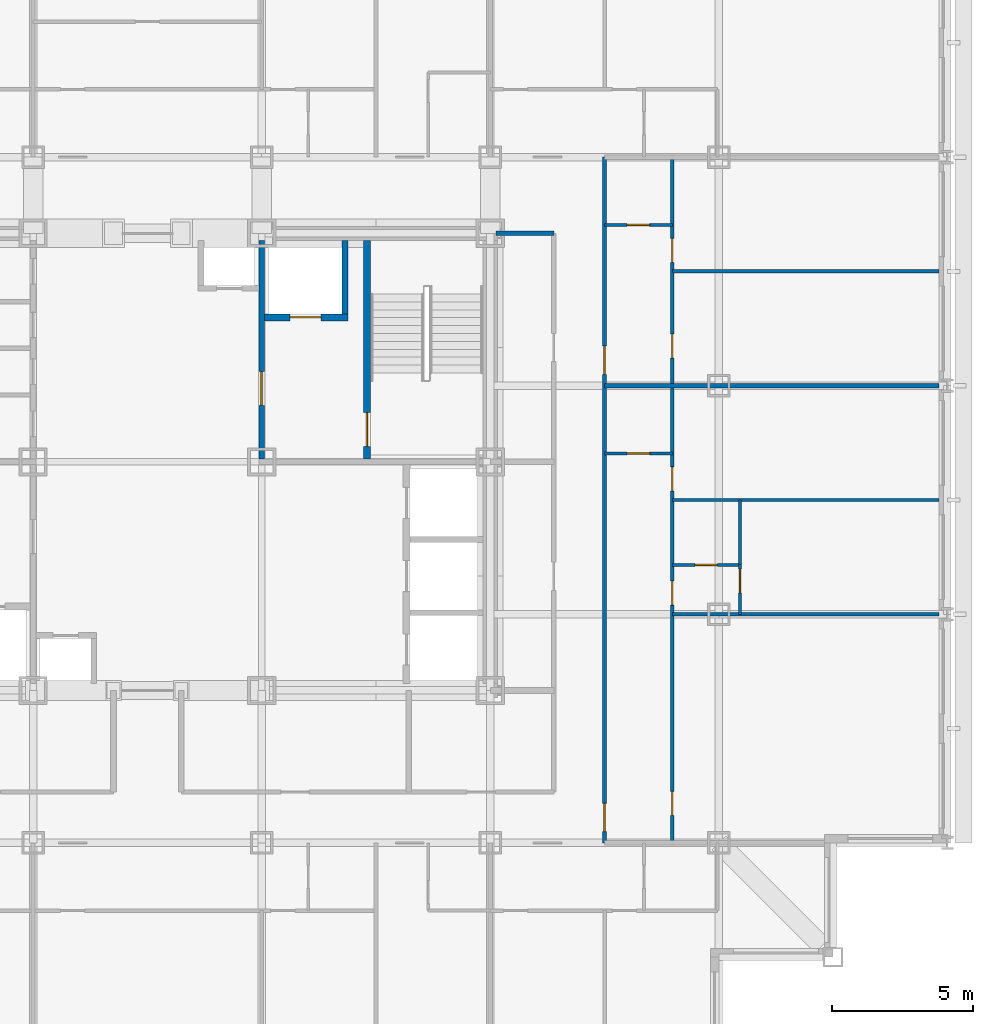
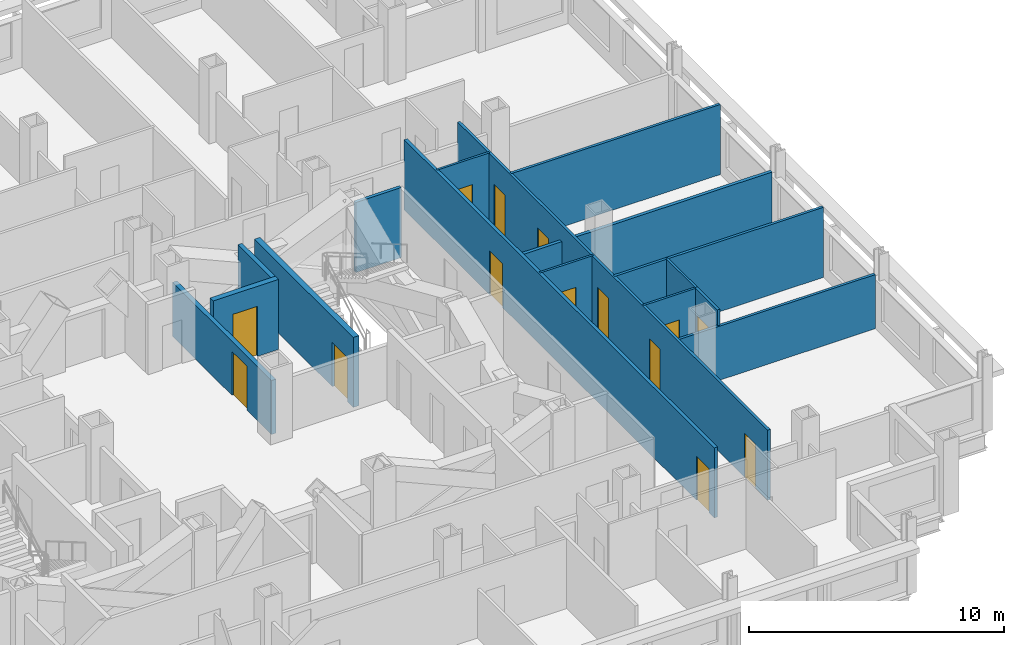
# One storey, part 8 of 12: 16 walls, 14 doors, 14 openings.
"""IFC4 building model written with IfcOpenShell, lengths in metres."""

from ifc_helpers import new_model, si_unit, direction, frame, frame_2d, origin, place, context, subcontext, project, spatial, rectangle, extrude, material, layer, layer_set, type_object, element, fill, save


model = new_model("IFC4")

# Units and contexts
model_context = context("Model", 3, precision=1e-05, world=origin(), true_north=direction((0.0, 1.0)))
body_context = subcontext(model_context, "Body", "Model", "MODEL_VIEW")
ifc_project = project(units=[si_unit("LENGTHUNIT", "METRE"), si_unit("AREAUNIT", "SQUARE_METRE"), si_unit("VOLUMEUNIT", "CUBIC_METRE"), si_unit("PLANEANGLEUNIT", "RADIAN"), si_unit("MASSUNIT", "GRAM", prefix="KILO")], contexts=[model_context])

# Site, building, storey
site_placement = place(None, origin())
site = spatial("IfcSite", under=ifc_project, at=site_placement, CompositionType="ELEMENT")
building_placement = place(site_placement, origin())
building = spatial("IfcBuilding", under=site, at=building_placement, Name="Kopane Lantern Tower", CompositionType="ELEMENT")
storey_placement = place(building_placement, frame((0.0, 0.0, 231.60009765625)))
storey = spatial("IfcBuildingStorey", under=building, at=storey_placement, Name="L60", CompositionType="ELEMENT", Elevation=231.60009765625)

# Wall, openings, doors
ifc_material_1 = material(Name="Gypsum board on steel studs", Category="steel")
ifc_layer_1 = layer(ifc_material_1, 0.1201171875)
ifc_layer_set_1 = layer_set([ifc_layer_1], Name="APARTMENT INTERNAL WALL 120")
wall_type_1 = type_object("IfcWallType", Name="APARTMENT INTERNAL WALL 120", PredefinedType="PARTITIONING", material=ifc_layer_set_1)
wall_1_placement = place(storey_placement, frame((46.949951171875, 18.89990234375, 0.0), z_axis=(0.0, 0.0, 1.0), x_axis=(0.0, 1.0, 0.0)))
wall_1 = element("IfcWall", 1, at=wall_1_placement, inside=storey, type_object=wall_type_1, Name="Apartment Internal Wall 120 L60", PredefinedType="PARTITIONING", context=body_context, shape_type="SweptSolid", body=[
    extrude(rectangle(XDim=24.300048828125, YDim=0.1201171875, at=frame_2d((12.14990234375, 0.0))), origin(), (0.0, 0.0, 1.0), 3.349853515625),
])
opening_1_placement = place(wall_1_placement, frame((0.97509765625, 0.0, 0.0)))
opening_1 = element("IfcOpeningElement", 2, at=opening_1_placement, cuts=wall_1, Name="Opening L60-043", PredefinedType="OPENING", context=body_context, shape_type="SweptSolid", body=[
    extrude(rectangle(XDim=0.85009765625, YDim=2.10009765625, at=frame_2d((0.425048828125, 1.050048828125))), frame((0.0, 0.070068359375, 0.0), z_axis=(0.0, -1.0, 0.0), x_axis=(1.0, 0.0, 0.0)), (0.0, 0.0, 1.0), 0.14013671875),
])
opening_2_placement = place(wall_1_placement, frame((8.425048828125, 0.0, 0.0)))
opening_2 = element("IfcOpeningElement", 3, at=opening_2_placement, cuts=wall_1, Name="Opening L60-045", PredefinedType="OPENING", context=body_context, shape_type="SweptSolid", body=[
    extrude(rectangle(XDim=0.85009765625, YDim=2.10009765625, at=frame_2d((0.425048828125, 1.050048828125))), frame((0.0, 0.070068359375, 0.0), z_axis=(0.0, -1.0, 0.0), x_axis=(1.0, 0.0, 0.0)), (0.0, 0.0, 1.0), 0.14013671875),
])
opening_3_placement = place(wall_1_placement, frame((12.47509765625, 0.0, 0.0)))
opening_3 = element("IfcOpeningElement", 4, at=opening_3_placement, cuts=wall_1, Name="Opening L60-046", PredefinedType="OPENING", context=body_context, shape_type="SweptSolid", body=[
    extrude(rectangle(XDim=0.85009765625, YDim=2.10009765625, at=frame_2d((0.425048828125, 1.050048828125))), frame((0.0, 0.070068359375, 0.0), z_axis=(0.0, -1.0, 0.0), x_axis=(1.0, 0.0, 0.0)), (0.0, 0.0, 1.0), 0.14013671875),
])
opening_4_placement = place(wall_1_placement, frame((17.175048828125, 0.0, 0.0)))
opening_4 = element("IfcOpeningElement", 5, at=opening_4_placement, cuts=wall_1, Name="Opening L60-049", PredefinedType="OPENING", context=body_context, shape_type="SweptSolid", body=[
    extrude(rectangle(XDim=0.85009765625, YDim=2.10009765625, at=frame_2d((0.425048828125, 1.050048828125))), frame((0.0, 0.070068359375, 0.0), z_axis=(0.0, -1.0, 0.0), x_axis=(1.0, 0.0, 0.0)), (0.0, 0.0, 1.0), 0.14013671875),
])
opening_5_placement = place(wall_1_placement, frame((20.574951171875, 0.0, 0.0)))
opening_5 = element("IfcOpeningElement", 6, at=opening_5_placement, cuts=wall_1, Name="Opening L60-050", PredefinedType="OPENING", context=body_context, shape_type="SweptSolid", body=[
    extrude(rectangle(XDim=0.85009765625, YDim=2.10009765625, at=frame_2d((0.425048828125, 1.050048828125))), frame((0.0, 0.070068359375, 0.0), z_axis=(0.0, -1.0, 0.0), x_axis=(1.0, 0.0, 0.0)), (0.0, 0.0, 1.0), 0.14013671875),
])
ifc_material_2 = material(Name="Timber door set", Category="wood")
door_type_1 = type_object("IfcDoorType", Name="DOOR D4 850x2100", OperationType="SINGLE_SWING_LEFT", PredefinedType="DOOR", material=ifc_material_2)
door_1_placement = place(opening_1_placement, origin())
door_1 = element("IfcDoor", 7, at=door_1_placement, inside=storey, type_object=door_type_1, Name="Door L60-043", OperationType="SINGLE_SWING_LEFT", OverallHeight=2.10009765625, OverallWidth=0.85009765625, PredefinedType="DOOR", context=body_context, shape_type="SweptSolid", body=[
    extrude(rectangle(XDim=0.85009765625, YDim=2.10009765625, at=frame_2d((0.425048828125, 1.050048828125))), frame((0.0, 0.02490234375, 0.0), z_axis=(0.0, -1.0, 0.0), x_axis=(1.0, 0.0, 0.0)), (0.0, 0.0, 1.0), 0.050048828125),
])
fill(opening_1, door_1)
door_2_placement = place(opening_2_placement, origin())
door_2 = element("IfcDoor", 8, at=door_2_placement, inside=storey, type_object=door_type_1, Name="Door L60-045", OperationType="SINGLE_SWING_RIGHT", OverallHeight=2.10009765625, OverallWidth=0.85009765625, PredefinedType="DOOR", context=body_context, shape_type="SweptSolid", body=[
    extrude(rectangle(XDim=0.85009765625, YDim=2.10009765625, at=frame_2d((0.425048828125, 1.050048828125))), frame((0.0, 0.02490234375, 0.0), z_axis=(0.0, -1.0, 0.0), x_axis=(1.0, 0.0, 0.0)), (0.0, 0.0, 1.0), 0.050048828125),
])
fill(opening_2, door_2)
door_3_placement = place(opening_3_placement, origin())
door_3 = element("IfcDoor", 9, at=door_3_placement, inside=storey, type_object=door_type_1, Name="Door L60-046", OperationType="SINGLE_SWING_RIGHT", OverallHeight=2.10009765625, OverallWidth=0.85009765625, PredefinedType="DOOR", context=body_context, shape_type="SweptSolid", body=[
    extrude(rectangle(XDim=0.85009765625, YDim=2.10009765625, at=frame_2d((0.425048828125, 1.050048828125))), frame((0.0, 0.02490234375, 0.0), z_axis=(0.0, -1.0, 0.0), x_axis=(1.0, 0.0, 0.0)), (0.0, 0.0, 1.0), 0.050048828125),
])
fill(opening_3, door_3)
door_4_placement = place(opening_4_placement, origin())
door_4 = element("IfcDoor", 10, at=door_4_placement, inside=storey, type_object=door_type_1, Name="Door L60-049", OperationType="SINGLE_SWING_LEFT", OverallHeight=2.10009765625, OverallWidth=0.85009765625, PredefinedType="DOOR", context=body_context, shape_type="SweptSolid", body=[
    extrude(rectangle(XDim=0.85009765625, YDim=2.10009765625, at=frame_2d((0.425048828125, 1.050048828125))), frame((0.0, 0.02490234375, 0.0), z_axis=(0.0, -1.0, 0.0), x_axis=(1.0, 0.0, 0.0)), (0.0, 0.0, 1.0), 0.050048828125),
])
fill(opening_4, door_4)
door_5_placement = place(opening_5_placement, origin())
door_5 = element("IfcDoor", 11, at=door_5_placement, inside=storey, type_object=door_type_1, Name="Door L60-050", OperationType="SINGLE_SWING_RIGHT", OverallHeight=2.10009765625, OverallWidth=0.85009765625, PredefinedType="DOOR", context=body_context, shape_type="SweptSolid", body=[
    extrude(rectangle(XDim=0.85009765625, YDim=2.10009765625, at=frame_2d((0.425048828125, 1.050048828125))), frame((0.0, 0.02490234375, 0.0), z_axis=(0.0, -1.0, 0.0), x_axis=(1.0, 0.0, 0.0)), (0.0, 0.0, 1.0), 0.050048828125),
])
fill(opening_5, door_5)

# Walls
wall_2_placement = place(storey_placement, frame((46.949951171875, 27.0, 0.0), z_axis=(0.0, 0.0, 1.0), x_axis=(1.0, 0.0, 0.0)))
element("IfcWall", 12, at=wall_2_placement, inside=storey, type_object=wall_type_1, Name="Apartment Internal Wall 120 L60", PredefinedType="PARTITIONING", context=body_context, shape_type="SweptSolid", body=[
    extrude(rectangle(XDim=9.449951171875, YDim=0.1201171875, at=frame_2d((4.72509765625, 0.0))), origin(), (0.0, 0.0, 1.0), 2.587646484375),
])
for number, where, z_axis, x_axis, name in (
    (13, (46.949951171875, 31.050048828125, 0.0), (0.0, 0.0, 1.0), (1.0, 0.0, 0.0), "Apartment Internal Wall 120 L60"),
    (14, (46.949951171875, 39.14990234375, 0.0), (0.0, 0.0, 1.0), (1.0, 0.0, 0.0), "Apartment Internal Wall 120 L60"),
):
    element("IfcWall", number, at=place(storey_placement, frame(where, z_axis=z_axis, x_axis=x_axis)), inside=storey, type_object=wall_type_1, Name=name, PredefinedType="PARTITIONING", context=body_context, shape_type="SweptSolid", body=[
        extrude(rectangle(XDim=9.449951171875, YDim=0.1201171875, at=frame_2d((4.72509765625, 0.0))), origin(), (0.0, 0.0, 1.0), 3.349853515625),
    ])

# Wall, opening, door
wall_3_placement = place(storey_placement, frame((49.35009765625, 28.760009765625, 0.0), z_axis=(0.0, 0.0, 1.0), x_axis=(0.0, -1.0, 0.0)))
wall_3 = element("IfcWall", 15, at=wall_3_placement, inside=storey, type_object=wall_type_1, Name="Apartment Internal Wall 120 L60", PredefinedType="PARTITIONING", context=body_context, shape_type="SweptSolid", body=[
    extrude(rectangle(XDim=1.760009765625, YDim=0.1201171875, at=frame_2d((0.8798828125, 0.0))), origin(), (0.0, 0.0, 1.0), 3.349853515625),
])
opening_6_placement = place(wall_3_placement, frame((0.159912109375, 0.0, 0.0)))
opening_6 = element("IfcOpeningElement", 16, at=opening_6_placement, cuts=wall_3, Name="Opening L60-069", PredefinedType="OPENING", context=body_context, shape_type="SweptSolid", body=[
    extrude(rectangle(XDim=0.85009765625, YDim=2.10009765625, at=frame_2d((0.425048828125, 1.050048828125))), frame((0.0, 0.070068359375, 0.0), z_axis=(0.0, -1.0, 0.0), x_axis=(1.0, 0.0, 0.0)), (0.0, 0.0, 1.0), 0.14013671875),
])
door_6_placement = place(opening_6_placement, origin())
door_6 = element("IfcDoor", 17, at=door_6_placement, inside=storey, type_object=door_type_1, Name="Door L60-069", OperationType="SINGLE_SWING_RIGHT", OverallHeight=2.10009765625, OverallWidth=0.85009765625, PredefinedType="DOOR", context=body_context, shape_type="SweptSolid", body=[
    extrude(rectangle(XDim=0.85009765625, YDim=2.10009765625, at=frame_2d((0.425048828125, 1.050048828125))), frame((0.0, 0.02490234375, 0.0), z_axis=(0.0, -1.0, 0.0), x_axis=(1.0, 0.0, 0.0)), (0.0, 0.0, 1.0), 0.050048828125),
])
fill(opening_6, door_6)

ifc_material_3 = material(Name="Moisture-resistant board on steel studs", Category="steel")
ifc_layer_2 = layer(ifc_material_3, 0.10009765625)
ifc_layer_set_2 = layer_set([ifc_layer_2], Name="BATHROOM WALL 100")
wall_type_2 = type_object("IfcWallType", Name="BATHROOM WALL 100", PredefinedType="PARTITIONING", material=ifc_layer_set_2)
wall_4_placement = place(storey_placement, frame((44.550048828125, 32.699951171875, 0.0), z_axis=(0.0, 0.0, 1.0), x_axis=(1.0, 0.0, 0.0)))
wall_4 = element("IfcWall", 18, at=wall_4_placement, inside=storey, type_object=wall_type_2, Name="Bathroom Wall 100 L60", PredefinedType="PARTITIONING", context=body_context, shape_type="SweptSolid", body=[
    extrude(rectangle(XDim=2.39990234375, YDim=0.10009765625, at=frame_2d((1.199951171875, 0.0))), origin(), (0.0, 0.0, 1.0), 3.349853515625),
])
opening_7_placement = place(wall_4_placement, frame((0.800048828125, 0.0, 0.0)))
opening_7 = element("IfcOpeningElement", 19, at=opening_7_placement, cuts=wall_4, Name="Opening L60-041", PredefinedType="OPENING", context=body_context, shape_type="SweptSolid", body=[
    extrude(rectangle(XDim=0.800048828125, YDim=2.10009765625, at=frame_2d((0.39990234375, 1.050048828125))), frame((0.0, 0.06005859375, 0.0), z_axis=(0.0, -1.0, 0.0), x_axis=(1.0, 0.0, 0.0)), (0.0, 0.0, 1.0), 0.1201171875),
])
ifc_material_4 = material(Name="Timber door set", Category="wood")
door_type_2 = type_object("IfcDoorType", Name="DOOR D2 800x2100", OperationType="SINGLE_SWING_LEFT", PredefinedType="DOOR", material=ifc_material_4)
door_7_placement = place(opening_7_placement, origin())
door_7 = element("IfcDoor", 20, at=door_7_placement, inside=storey, type_object=door_type_2, Name="Door L60-041", OperationType="SINGLE_SWING_LEFT", OverallHeight=2.10009765625, OverallWidth=0.800048828125, PredefinedType="DOOR", context=body_context, shape_type="SweptSolid", body=[
    extrude(rectangle(XDim=0.800048828125, YDim=2.10009765625, at=frame_2d((0.39990234375, 1.050048828125))), frame((0.0, 0.02490234375, 0.0), z_axis=(0.0, -1.0, 0.0), x_axis=(1.0, 0.0, 0.0)), (0.0, 0.0, 1.0), 0.050048828125),
])
fill(opening_7, door_7)

wall_5_placement = place(storey_placement, frame((46.949951171875, 28.75, 0.0), z_axis=(0.0, 0.0, 1.0), x_axis=(1.0, 0.0, 0.0)))
wall_5 = element("IfcWall", 21, at=wall_5_placement, inside=storey, type_object=wall_type_2, Name="Bathroom Wall 100 L60", PredefinedType="PARTITIONING", context=body_context, shape_type="SweptSolid", body=[
    extrude(rectangle(XDim=2.400146484375, YDim=0.10009765625, at=frame_2d((1.2001953125, 0.0))), origin(), (0.0, 0.0, 1.0), 3.349853515625),
])
opening_8_placement = place(wall_5_placement, frame((0.800048828125, 0.0, 0.0)))
opening_8 = element("IfcOpeningElement", 22, at=opening_8_placement, cuts=wall_5, Name="Opening L60-044", PredefinedType="OPENING", context=body_context, shape_type="SweptSolid", body=[
    extrude(rectangle(XDim=0.800048828125, YDim=2.10009765625, at=frame_2d((0.39990234375, 1.050048828125))), frame((0.0, 0.06005859375, 0.0), z_axis=(0.0, -1.0, 0.0), x_axis=(1.0, 0.0, 0.0)), (0.0, 0.0, 1.0), 0.1201171875),
])
door_8_placement = place(opening_8_placement, origin())
door_8 = element("IfcDoor", 23, at=door_8_placement, inside=storey, type_object=door_type_2, Name="Door L60-044", OperationType="SINGLE_SWING_LEFT", OverallHeight=2.10009765625, OverallWidth=0.800048828125, PredefinedType="DOOR", context=body_context, shape_type="SweptSolid", body=[
    extrude(rectangle(XDim=0.800048828125, YDim=2.10009765625, at=frame_2d((0.39990234375, 1.050048828125))), frame((0.0, 0.02490234375, 0.0), z_axis=(0.0, -1.0, 0.0), x_axis=(1.0, 0.0, 0.0)), (0.0, 0.0, 1.0), 0.050048828125),
])
fill(opening_8, door_8)

# Wall
wall_6_placement = place(storey_placement, frame((49.35009765625, 28.75, 0.0), z_axis=(0.0, 0.0, 1.0), x_axis=(0.0, 1.0, 0.0)))
element("IfcWall", 24, at=wall_6_placement, inside=storey, type_object=wall_type_2, Name="Bathroom Wall 100 L60", PredefinedType="PARTITIONING", context=body_context, shape_type="SweptSolid", body=[
    extrude(rectangle(XDim=2.300048828125, YDim=0.10009765625, at=frame_2d((1.14990234375, 0.0))), origin(), (0.0, 0.0, 1.0), 3.349853515625),
])

# Wall, opening, door
wall_7_placement = place(storey_placement, frame((44.550048828125, 40.800048828125, 0.0), z_axis=(0.0, 0.0, 1.0), x_axis=(1.0, 0.0, 0.0)))
wall_7 = element("IfcWall", 25, at=wall_7_placement, inside=storey, type_object=wall_type_2, Name="Bathroom Wall 100 L60", PredefinedType="PARTITIONING", context=body_context, shape_type="SweptSolid", body=[
    extrude(rectangle(XDim=2.39990234375, YDim=0.10009765625, at=frame_2d((1.199951171875, 0.0))), origin(), (0.0, 0.0, 1.0), 3.349853515625),
])
opening_9_placement = place(wall_7_placement, frame((0.800048828125, 0.0, 0.0)))
opening_9 = element("IfcOpeningElement", 26, at=opening_9_placement, cuts=wall_7, Name="Opening L60-047", PredefinedType="OPENING", context=body_context, shape_type="SweptSolid", body=[
    extrude(rectangle(XDim=0.800048828125, YDim=2.10009765625, at=frame_2d((0.39990234375, 1.050048828125))), frame((0.0, 0.06005859375, 0.0), z_axis=(0.0, -1.0, 0.0), x_axis=(1.0, 0.0, 0.0)), (0.0, 0.0, 1.0), 0.1201171875),
])
door_9_placement = place(opening_9_placement, origin())
door_9 = element("IfcDoor", 27, at=door_9_placement, inside=storey, type_object=door_type_2, Name="Door L60-047", OperationType="SINGLE_SWING_LEFT", OverallHeight=2.10009765625, OverallWidth=0.800048828125, PredefinedType="DOOR", context=body_context, shape_type="SweptSolid", body=[
    extrude(rectangle(XDim=0.800048828125, YDim=2.10009765625, at=frame_2d((0.39990234375, 1.050048828125))), frame((0.0, 0.02490234375, 0.0), z_axis=(0.0, -1.0, 0.0), x_axis=(1.0, 0.0, 0.0)), (0.0, 0.0, 1.0), 0.050048828125),
])
fill(opening_9, door_9)

ifc_material_5 = material(Name="Gypsum shaft wall EI 120", Category="gypsum")
ifc_layer_3 = layer(ifc_material_5, 0.25)
ifc_layer_set_3 = layer_set([ifc_layer_3], Name="CORE SHAFT WALL 250 EI 120")
wall_type_3 = type_object("IfcWallType", Name="CORE SHAFT WALL 250 EI 120", PredefinedType="SOLIDWALL", material=ifc_layer_set_3)
wall_8_placement = place(storey_placement, frame((36.125, 32.5, 0.0), z_axis=(0.0, 0.0, 1.0), x_axis=(0.0, 1.0, 0.0)))
wall_8 = element("IfcWall", 28, at=wall_8_placement, inside=storey, type_object=wall_type_3, Name="Core shaft wall L60 XST2", PredefinedType="SOLIDWALL", context=body_context, shape_type="SweptSolid", body=[
    extrude(rectangle(XDim=7.75, YDim=0.25, at=frame_2d((3.875, 0.0))), origin(), (0.0, 0.0, 1.0), 3.349853515625),
])
opening_10_placement = place(wall_8_placement, frame((0.449951171875, 0.0, 0.0)))
opening_10 = element("IfcOpeningElement", 29, at=opening_10_placement, cuts=wall_8, Name="Opening 60.SD2", PredefinedType="OPENING", context=body_context, shape_type="SweptSolid", body=[
    extrude(rectangle(XDim=1.199951171875, YDim=2.10009765625, at=frame_2d((0.60009765625, 1.050048828125))), frame((0.0, 0.135009765625, 0.0), z_axis=(0.0, -1.0, 0.0), x_axis=(1.0, 0.0, 0.0)), (0.0, 0.0, 1.0), 0.27001953125),
])
ifc_material_6 = material(Name="Steel door set", Category="steel")
door_type_3 = type_object("IfcDoorType", Name="STAIR DOOR 1200x2100 FD60S", OperationType="SINGLE_SWING_LEFT", PredefinedType="DOOR", material=ifc_material_6)
door_10_placement = place(opening_10_placement, origin())
door_10 = element("IfcDoor", 30, at=door_10_placement, inside=storey, type_object=door_type_3, Name="Stair door ST2 L60", OperationType="SINGLE_SWING_RIGHT", OverallHeight=2.10009765625, OverallWidth=1.199951171875, PredefinedType="DOOR", context=body_context, shape_type="SweptSolid", body=[
    extrude(rectangle(XDim=1.199951171875, YDim=2.10009765625, at=frame_2d((0.60009765625, 1.050048828125))), frame((0.0, 0.02490234375, 0.0), z_axis=(0.0, -1.0, 0.0), x_axis=(1.0, 0.0, 0.0)), (0.0, 0.0, 1.0), 0.050048828125),
])
fill(opening_10, door_10)

wall_9_placement = place(storey_placement, frame((32.5, 37.52490234375, 0.0), z_axis=(0.0, 0.0, 1.0), x_axis=(1.0, 0.0, 0.0)))
wall_9 = element("IfcWall", 31, at=wall_9_placement, inside=storey, type_object=wall_type_3, Name="Core shaft wall L60 YLF2", PredefinedType="SOLIDWALL", context=body_context, shape_type="SweptSolid", body=[
    extrude(rectangle(XDim=2.949951171875, YDim=0.25, at=frame_2d((1.47509765625, 0.0))), origin(), (0.0, 0.0, 1.0), 3.349853515625),
])
opening_11_placement = place(wall_9_placement, frame((0.89990234375, 0.0, 0.0)))
opening_11 = element("IfcOpeningElement", 32, at=opening_11_placement, cuts=wall_9, Name="Opening 60.LD-LF2", PredefinedType="OPENING", context=body_context, shape_type="SweptSolid", body=[
    extrude(rectangle(XDim=1.10009765625, YDim=2.39990234375, at=frame_2d((0.550048828125, 1.199951171875))), frame((0.0, 0.135009765625, 0.0), z_axis=(0.0, -1.0, 0.0), x_axis=(1.0, 0.0, 0.0)), (0.0, 0.0, 1.0), 0.27001953125),
])
ifc_material_7 = material(Name="Steel door set", Category="steel")
door_type_4 = type_object("IfcDoorType", Name="LIFT LANDING DOOR 1100x2400 FD60", OperationType="DOUBLE_DOOR_SLIDING", PredefinedType="DOOR", material=ifc_material_7)
door_11_placement = place(opening_11_placement, origin())
door_11 = element("IfcDoor", 33, at=door_11_placement, inside=storey, type_object=door_type_4, Name="Landing door LF2 L60", OperationType="DOUBLE_DOOR_SLIDING", OverallHeight=2.39990234375, OverallWidth=1.10009765625, PredefinedType="DOOR", context=body_context, shape_type="SweptSolid", body=[
    extrude(rectangle(XDim=1.10009765625, YDim=2.39990234375, at=frame_2d((0.550048828125, 1.199951171875))), frame((0.0, 0.02490234375, 0.0), z_axis=(0.0, -1.0, 0.0), x_axis=(1.0, 0.0, 0.0)), (0.0, 0.0, 1.0), 0.050048828125),
])
fill(opening_11, door_11)

# Wall, openings, doors
ifc_material_8 = material(Name="Gypsum board on steel studs", Category="steel")
ifc_layer_4 = layer(ifc_material_8, 0.14990234375)
ifc_layer_set_4 = layer_set([ifc_layer_4], Name="CORRIDOR WALL 150 EI 60")
wall_type_4 = type_object("IfcWallType", Name="CORRIDOR WALL 150 EI 60", PredefinedType="PARTITIONING", material=ifc_layer_set_4)
wall_10_placement = place(storey_placement, frame((44.550048828125, 18.89990234375, 0.0), z_axis=(0.0, 0.0, 1.0), x_axis=(0.0, 1.0, 0.0)))
wall_10 = element("IfcWall", 34, at=wall_10_placement, inside=storey, type_object=wall_type_4, Name="Corridor Wall 150 Ei 60 L60", PredefinedType="PARTITIONING", context=body_context, shape_type="SweptSolid", body=[
    extrude(rectangle(XDim=24.300048828125, YDim=0.14990234375, at=frame_2d((12.14990234375, 0.0))), origin(), (0.0, 0.0, 1.0), 3.349853515625),
])
opening_12_placement = place(wall_10_placement, frame((0.39990234375, 0.0, 0.0)))
opening_12 = element("IfcOpeningElement", 35, at=opening_12_placement, cuts=wall_10, Name="Opening L60-042", PredefinedType="OPENING", context=body_context, shape_type="SweptSolid", body=[
    extrude(rectangle(XDim=1.0, YDim=2.10009765625, at=frame_2d((0.5, 1.050048828125))), frame((0.0, 0.0849609375, 0.0), z_axis=(0.0, -1.0, 0.0), x_axis=(1.0, 0.0, 0.0)), (0.0, 0.0, 1.0), 0.169921875),
])
opening_13_placement = place(wall_10_placement, frame((16.60009765625, 0.0, 0.0)))
opening_13 = element("IfcOpeningElement", 36, at=opening_13_placement, cuts=wall_10, Name="Opening L60-048", PredefinedType="OPENING", context=body_context, shape_type="SweptSolid", body=[
    extrude(rectangle(XDim=1.0, YDim=2.10009765625, at=frame_2d((0.5, 1.050048828125))), frame((0.0, 0.0849609375, 0.0), z_axis=(0.0, -1.0, 0.0), x_axis=(1.0, 0.0, 0.0)), (0.0, 0.0, 1.0), 0.169921875),
])
ifc_material_9 = material(Name="Steel door set", Category="steel")
door_type_5 = type_object("IfcDoorType", Name="DOOR D3 1000x2100 FD30S", OperationType="SINGLE_SWING_LEFT", PredefinedType="DOOR", material=ifc_material_9)
door_12_placement = place(opening_12_placement, origin())
door_12 = element("IfcDoor", 37, at=door_12_placement, inside=storey, type_object=door_type_5, Name="Door L60-042", OperationType="SINGLE_SWING_RIGHT", OverallHeight=2.10009765625, OverallWidth=1.0, PredefinedType="DOOR", context=body_context, shape_type="SweptSolid", body=[
    extrude(rectangle(XDim=1.0, YDim=2.10009765625, at=frame_2d((0.5, 1.050048828125))), frame((0.0, 0.02490234375, 0.0), z_axis=(0.0, -1.0, 0.0), x_axis=(1.0, 0.0, 0.0)), (0.0, 0.0, 1.0), 0.050048828125),
])
fill(opening_12, door_12)
door_13_placement = place(opening_13_placement, origin())
door_13 = element("IfcDoor", 38, at=door_13_placement, inside=storey, type_object=door_type_5, Name="Door L60-048", OperationType="SINGLE_SWING_RIGHT", OverallHeight=2.10009765625, OverallWidth=1.0, PredefinedType="DOOR", context=body_context, shape_type="SweptSolid", body=[
    extrude(rectangle(XDim=1.0, YDim=2.10009765625, at=frame_2d((0.5, 1.050048828125))), frame((0.0, 0.02490234375, 0.0), z_axis=(0.0, -1.0, 0.0), x_axis=(1.0, 0.0, 0.0)), (0.0, 0.0, 1.0), 0.050048828125),
])
fill(opening_13, door_13)

# Walls
wall_11_placement = place(storey_placement, frame((42.75, 40.5, 0.0), z_axis=(0.0, 0.0, 1.0), x_axis=(-1.0, 0.0, 0.0)))
element("IfcWall", 39, at=wall_11_placement, inside=storey, type_object=wall_type_4, Name="Corridor Wall 150 Ei 60 L60", PredefinedType="PARTITIONING", context=body_context, shape_type="SweptSolid", body=[
    extrude(rectangle(XDim=2.050048828125, YDim=0.14990234375, at=frame_2d((1.02490234375, 0.0))), origin(), (0.0, 0.0, 1.0), 3.349853515625),
])
ifc_material_10 = material(Name="Gypsum board on steel studs", Category="steel")
ifc_layer_5 = layer(ifc_material_10, 0.14990234375)
ifc_layer_set_5 = layer_set([ifc_layer_5], Name="DEMISING WALL 150 EI 60")
wall_type_5 = type_object("IfcWallType", Name="DEMISING WALL 150 EI 60", PredefinedType="PARTITIONING", material=ifc_layer_set_5)
wall_12_placement = place(storey_placement, frame((44.550048828125, 35.10009765625, 0.0), z_axis=(0.0, 0.0, 1.0), x_axis=(1.0, 0.0, 0.0)))
element("IfcWall", 40, at=wall_12_placement, inside=storey, type_object=wall_type_5, Name="Demising Wall 150 Ei 60 L60", PredefinedType="PARTITIONING", context=body_context, shape_type="SweptSolid", body=[
    extrude(rectangle(XDim=11.849853515625, YDim=0.14990234375, at=frame_2d((5.9248046875, 0.0))), origin(), (0.0, 0.0, 1.0), 2.587646484375),
])

# Wall, opening, door
ifc_material_11 = material(Name="Gypsum shaft wall EI 120", Category="gypsum")
ifc_layer_6 = layer(ifc_material_11, 0.199951171875)
ifc_layer_set_6 = layer_set([ifc_layer_6], Name="SHAFT WALL 200 EI 120")
wall_type_6 = type_object("IfcWallType", Name="SHAFT WALL 200 EI 120", PredefinedType="SOLIDWALL", material=ifc_layer_set_6)
wall_13_placement = place(storey_placement, frame((32.39990234375, 32.5, 0.0), z_axis=(0.0, 0.0, 1.0), x_axis=(0.0, 1.0, 0.0)))
wall_13 = element("IfcWall", 41, at=wall_13_placement, inside=storey, type_object=wall_type_6, Name="Core shaft wall L60 X324", PredefinedType="SOLIDWALL", context=body_context, shape_type="SweptSolid", body=[
    extrude(rectangle(XDim=7.75, YDim=0.199951171875, at=frame_2d((3.875, 0.0))), origin(), (0.0, 0.0, 1.0), 2.587646484375),
])
opening_14_placement = place(wall_13_placement, frame((1.89990234375, 0.0, 0.0)))
opening_14 = element("IfcOpeningElement", 42, at=opening_14_placement, cuts=wall_13, Name="Opening 60.FL2", PredefinedType="OPENING", context=body_context, shape_type="SweptSolid", body=[
    extrude(rectangle(XDim=1.199951171875, YDim=2.10009765625, at=frame_2d((0.60009765625, 1.050048828125))), frame((0.0, 0.10986328125, 0.0), z_axis=(0.0, -1.0, 0.0), x_axis=(1.0, 0.0, 0.0)), (0.0, 0.0, 1.0), 0.219970703125),
])
ifc_material_12 = material(Name="Steel door set", Category="steel")
door_type_6 = type_object("IfcDoorType", Name="FIREFIGHTING LOBBY DOOR 1200x2100 FD60S", OperationType="SINGLE_SWING_RIGHT", PredefinedType="DOOR", material=ifc_material_12)
door_14_placement = place(opening_14_placement, origin())
door_14 = element("IfcDoor", 43, at=door_14_placement, inside=storey, type_object=door_type_6, Name="Firefighting lobby door FL2 L60", OperationType="SINGLE_SWING_LEFT", OverallHeight=2.10009765625, OverallWidth=1.199951171875, PredefinedType="DOOR", context=body_context, shape_type="SweptSolid", body=[
    extrude(rectangle(XDim=1.199951171875, YDim=2.10009765625, at=frame_2d((0.60009765625, 1.050048828125))), frame((0.0, 0.02490234375, 0.0), z_axis=(0.0, -1.0, 0.0), x_axis=(1.0, 0.0, 0.0)), (0.0, 0.0, 1.0), 0.050048828125),
])
fill(opening_14, door_14)

# Wall
wall_14_placement = place(storey_placement, frame((35.35009765625, 37.64990234375, 0.0), z_axis=(0.0, 0.0, 1.0), x_axis=(0.0, 1.0, 0.0)))
element("IfcWall", 44, at=wall_14_placement, inside=storey, type_object=wall_type_6, Name="Core shaft wall L60 XLF2", PredefinedType="SOLIDWALL", context=body_context, shape_type="SweptSolid", body=[
    extrude(rectangle(XDim=2.60009765625, YDim=0.199951171875, at=frame_2d((1.300048828125, 0.0))), origin(), (0.0, 0.0, 1.0), 3.349853515625),
])

save(model, "model.ifc")
